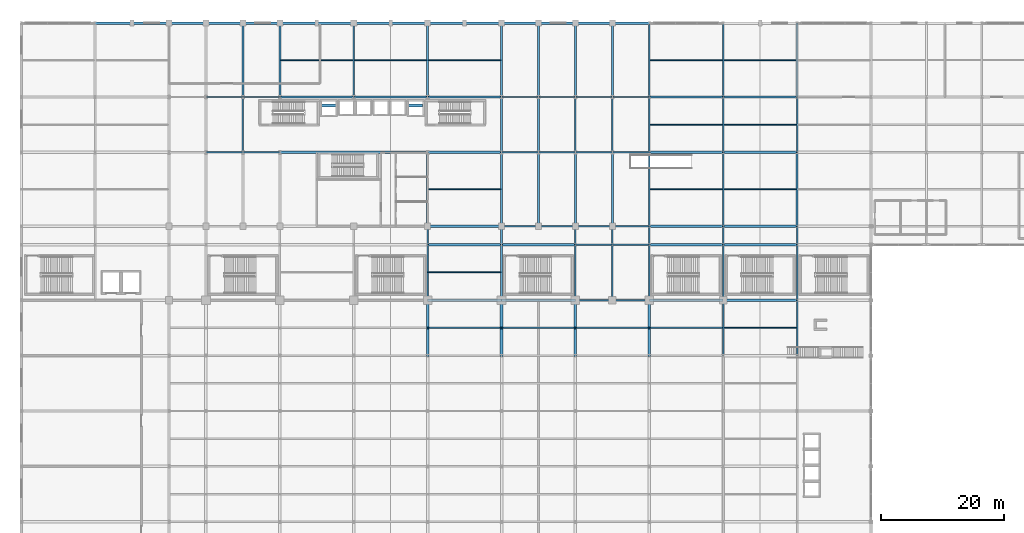
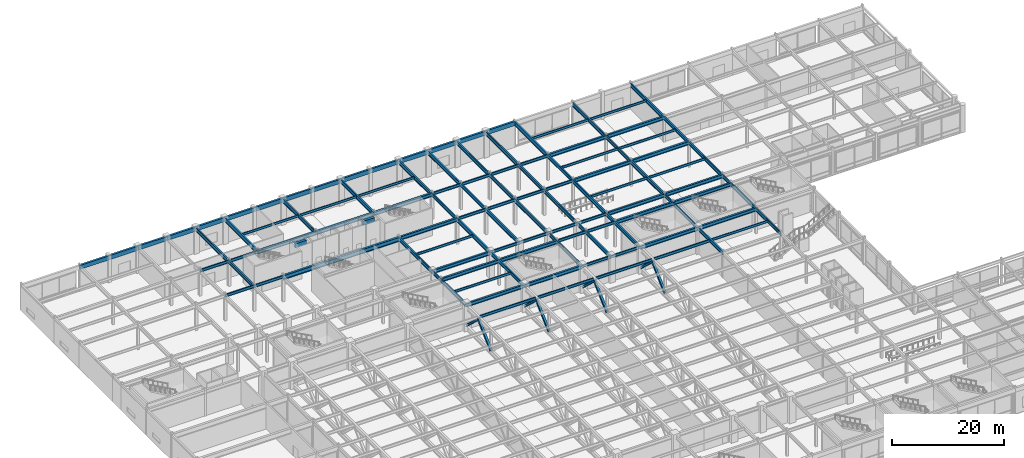
# One storey, part 44 of 108: 112 beams, 8 members.
"""IFC4 building model written with IfcOpenShell, lengths in metres."""

from ifc_helpers import new_model, si_unit, direction, frame, origin, origin_2d, place, context, subcontext, project, spatial, rectangle, i_section, extrude, material, material_profile, profile_set, type_object, element, save


model = new_model("IFC4")

# Units and contexts
model_context = context("Model", 3, precision=1e-05, world=origin(), true_north=direction((0.0, 1.0)))
body_context = subcontext(model_context, "Body", "Model", "MODEL_VIEW")
ifc_project = project(units=[si_unit("LENGTHUNIT", "METRE"), si_unit("AREAUNIT", "SQUARE_METRE"), si_unit("VOLUMEUNIT", "CUBIC_METRE"), si_unit("PLANEANGLEUNIT", "RADIAN"), si_unit("MASSUNIT", "GRAM", prefix="KILO")], contexts=[model_context])

# Site, building, storey
site_placement = place(None, origin())
site = spatial("IfcSite", under=ifc_project, at=site_placement, CompositionType="ELEMENT")
building_placement = place(site_placement, origin())
building = spatial("IfcBuilding", under=site, at=building_placement, Name="Kaldorvane Square Convention Centre", CompositionType="ELEMENT")
storey_placement = place(building_placement, frame((0.0, 0.0, 12.0)))
storey = spatial("IfcBuildingStorey", under=building, at=storey_placement, Name="L02", CompositionType="ELEMENT", Elevation=12.0)

# Beams
ifc_material_1 = material(Name="Steel ASTM A992 Gr. 50", Category="steel")
ifc_material_profile_1 = material_profile(ifc_material_1, i_section(OverallWidth=0.2303009033203125, OverallDepth=0.61749267578125, WebThickness=0.0131072998046875, FlangeThickness=0.0222015380859375, FilletRadius=0.0126953125, at=origin_2d()), Name="W24X94")
ifc_profile_set_1 = profile_set([ifc_material_profile_1], Name="Steel ASTM A992 Gr. 50")
beam_type_1 = type_object("IfcBeamType", Name="BM-GR-W24X94", PredefinedType="BEAM", material=ifc_profile_set_1)
for number, where, z_axis, x_axis, name in (
    (1, (90.0, 72.0, 5.3372039794921875), (1.0, 0.0, 0.0), (0.0, 1.0, 0.0), "Primary Girder (L02)"),
    (2, (96.0, 72.0, 5.3372039794921875), (1.0, 0.0, 0.0), (0.0, 1.0, 0.0), "Primary Girder (L02)"),
    (3, (90.0, 81.0, 5.3372039794921875), (1.0, 0.0, 0.0), (0.0, 1.0, 0.0), "Primary Girder (L02)"),
    (4, (96.0, 81.0, 5.3372039794921875), (1.0, 0.0, 0.0), (0.0, 1.0, 0.0), "Primary Girder (L02)"),
    (5, (78.0, 84.0, 5.3372039794921875), (1.0, 0.0, 0.0), (0.0, 1.0, 0.0), "Primary Girder (L02)"),
    (6, (84.0, 84.0, 5.3372039794921875), (1.0, 0.0, 0.0), (0.0, 1.0, 0.0), "Primary Girder (L02)"),
    (7, (90.0, 84.0, 5.3372039794921875), (1.0, 0.0, 0.0), (0.0, 1.0, 0.0), "Primary Girder (L02)"),
    (8, (96.0, 84.0, 5.3372039794921875), (1.0, 0.0, 0.0), (0.0, 1.0, 0.0), "Primary Girder (L02)"),
    (9, (30.0, 96.0, 5.3372039794921875), (1.0, 0.0, 0.0), (0.0, 1.0, 0.0), "Primary Girder (L02)"),
    (10, (36.0, 96.0, 5.3372039794921875), (1.0, 0.0, 0.0), (0.0, 1.0, 0.0), "Primary Girder (L02)"),
    (11, (78.0, 96.0, 5.3372039794921875), (1.0, 0.0, 0.0), (0.0, 1.0, 0.0), "Primary Girder (L02)"),
    (12, (84.0, 96.0, 5.3372039794921875), (1.0, 0.0, 0.0), (0.0, 1.0, 0.0), "Primary Girder (L02)"),
    (13, (90.0, 96.0, 5.3372039794921875), (1.0, 0.0, 0.0), (0.0, 1.0, 0.0), "Primary Girder (L02)"),
    (14, (96.0, 96.0, 5.3372039794921875), (1.0, 0.0, 0.0), (0.0, 1.0, 0.0), "Primary Girder (L02)"),
    (15, (30.0, 105.0, 5.3372039794921875), (1.0, 0.0, 0.0), (0.0, 1.0, 0.0), "Primary Girder (L02)"),
    (16, (36.0, 105.0, 5.3372039794921875), (1.0, 0.0, 0.0), (0.0, 1.0, 0.0), "Primary Girder (L02)"),
    (17, (78.0, 105.0, 5.3372039794921875), (1.0, 0.0, 0.0), (0.0, 1.0, 0.0), "Primary Girder (L02)"),
    (18, (84.0, 105.0, 5.3372039794921875), (1.0, 0.0, 0.0), (0.0, 1.0, 0.0), "Primary Girder (L02)"),
    (19, (90.0, 105.0, 5.3372039794921875), (1.0, 0.0, 0.0), (0.0, 1.0, 0.0), "Primary Girder (L02)"),
    (20, (96.0, 105.0, 5.3372039794921875), (1.0, 0.0, 0.0), (0.0, 1.0, 0.0), "Primary Girder (L02)"),
):
    element("IfcBeam", number, at=place(storey_placement, frame(where, z_axis=z_axis, x_axis=x_axis)), inside=storey, type_object=beam_type_1, Name=name, PredefinedType="BEAM", context=body_context, shape_type="SweptSolid", body=[
        extrude(i_section(OverallWidth=0.2303009033203125, OverallDepth=0.61749267578125, WebThickness=0.0131072998046875, FlangeThickness=0.0222015380859375, FilletRadius=0.0126953125, at=origin_2d()), origin(), (0.0, 0.0, 1.0), 6.0),
    ])
ifc_material_profile_2 = material_profile(ifc_material_1, i_section(OverallWidth=0.2666015625, OverallDepth=0.762298583984375, WebThickness=0.014404296875, FlangeThickness=0.0216064453125, FilletRadius=0.0164947509765625, at=origin_2d()), Name="W30X116")
ifc_profile_set_2 = profile_set([ifc_material_profile_2], Name="Steel ASTM A992 Gr. 50")
beam_type_2 = type_object("IfcBeamType", Name="BM-GR-W30X116", PredefinedType="BEAM", material=ifc_profile_set_2)
for number, where, z_axis, x_axis, name in (
    (21, (36.0, 96.0, 5.264801025390625), (0.0, 1.0, 0.0), (-1.0, 0.0, 0.0), "Transverse Girder (L02)"),
    (22, (66.0, 72.0, 5.264801025390625), (0.0, 1.0, 0.0), (-1.0, 0.0, 0.0), "Transverse Girder (L02)"),
):
    element("IfcBeam", number, at=place(storey_placement, frame(where, z_axis=z_axis, x_axis=x_axis)), inside=storey, type_object=beam_type_2, Name=name, PredefinedType="BEAM", context=body_context, shape_type="SweptSolid", body=[
        extrude(i_section(OverallWidth=0.2666015625, OverallDepth=0.762298583984375, WebThickness=0.014404296875, FlangeThickness=0.0216064453125, FilletRadius=0.0164947509765625, at=origin_2d()), origin(), (0.0, 0.0, 1.0), 9.0),
    ])
beam_1_placement = place(storey_placement, frame((66.0, 81.0, 5.264801025390625), z_axis=(0.0, 1.0, 0.0), x_axis=(-1.0, 0.0, 0.0)))
element("IfcBeam", 23, at=beam_1_placement, inside=storey, type_object=beam_type_2, Name="Transverse Girder (L02)", PredefinedType="BEAM", context=body_context, shape_type="SweptSolid", body=[
    extrude(i_section(OverallWidth=0.2666015625, OverallDepth=0.762298583984375, WebThickness=0.014404296875, FlangeThickness=0.0216064453125, FilletRadius=0.0164947509765625, at=origin_2d()), origin(), (0.0, 0.0, 1.0), 3.0),
])
beam_2_placement = place(storey_placement, frame((78.0, 72.0, 5.264801025390625), z_axis=(0.0, 1.0, 0.0), x_axis=(-1.0, 0.0, 0.0)))
element("IfcBeam", 24, at=beam_2_placement, inside=storey, type_object=beam_type_2, Name="Transverse Girder (L02)", PredefinedType="BEAM", context=body_context, shape_type="SweptSolid", body=[
    extrude(i_section(OverallWidth=0.2666015625, OverallDepth=0.762298583984375, WebThickness=0.014404296875, FlangeThickness=0.0216064453125, FilletRadius=0.0164947509765625, at=origin_2d()), origin(), (0.0, 0.0, 1.0), 9.0),
])
beam_3_placement = place(storey_placement, frame((78.0, 81.0, 5.264801025390625), z_axis=(0.0, 1.0, 0.0), x_axis=(-1.0, 0.0, 0.0)))
element("IfcBeam", 25, at=beam_3_placement, inside=storey, type_object=beam_type_2, Name="Transverse Girder (L02)", PredefinedType="BEAM", context=body_context, shape_type="SweptSolid", body=[
    extrude(i_section(OverallWidth=0.2666015625, OverallDepth=0.762298583984375, WebThickness=0.014404296875, FlangeThickness=0.0216064453125, FilletRadius=0.0164947509765625, at=origin_2d()), origin(), (0.0, 0.0, 1.0), 3.0),
])
for number, where, z_axis, x_axis, name in (
    (26, (78.0, 96.0, 5.264801025390625), (0.0, 1.0, 0.0), (-1.0, 0.0, 0.0), "Transverse Girder (L02)"),
    (27, (84.0, 96.0, 5.264801025390625), (0.0, 1.0, 0.0), (-1.0, 0.0, 0.0), "Transverse Girder (L02)"),
    (28, (90.0, 72.0, 5.264801025390625), (0.0, 1.0, 0.0), (-1.0, 0.0, 0.0), "Transverse Girder (L02)"),
):
    element("IfcBeam", number, at=place(storey_placement, frame(where, z_axis=z_axis, x_axis=x_axis)), inside=storey, type_object=beam_type_2, Name=name, PredefinedType="BEAM", context=body_context, shape_type="SweptSolid", body=[
        extrude(i_section(OverallWidth=0.2666015625, OverallDepth=0.762298583984375, WebThickness=0.014404296875, FlangeThickness=0.0216064453125, FilletRadius=0.0164947509765625, at=origin_2d()), origin(), (0.0, 0.0, 1.0), 9.0),
    ])
beam_4_placement = place(storey_placement, frame((90.0, 81.0, 5.264801025390625), z_axis=(0.0, 1.0, 0.0), x_axis=(-1.0, 0.0, 0.0)))
element("IfcBeam", 29, at=beam_4_placement, inside=storey, type_object=beam_type_2, Name="Transverse Girder (L02)", PredefinedType="BEAM", context=body_context, shape_type="SweptSolid", body=[
    extrude(i_section(OverallWidth=0.2666015625, OverallDepth=0.762298583984375, WebThickness=0.014404296875, FlangeThickness=0.0216064453125, FilletRadius=0.0164947509765625, at=origin_2d()), origin(), (0.0, 0.0, 1.0), 3.0),
])
for number, where, z_axis, x_axis, name in (
    (30, (90.0, 96.0, 5.264801025390625), (0.0, 1.0, 0.0), (-1.0, 0.0, 0.0), "Transverse Girder (L02)"),
    (31, (96.0, 72.0, 5.264801025390625), (0.0, 1.0, 0.0), (-1.0, 0.0, 0.0), "Transverse Girder (L02)"),
):
    element("IfcBeam", number, at=place(storey_placement, frame(where, z_axis=z_axis, x_axis=x_axis)), inside=storey, type_object=beam_type_2, Name=name, PredefinedType="BEAM", context=body_context, shape_type="SweptSolid", body=[
        extrude(i_section(OverallWidth=0.2666015625, OverallDepth=0.762298583984375, WebThickness=0.014404296875, FlangeThickness=0.0216064453125, FilletRadius=0.0164947509765625, at=origin_2d()), origin(), (0.0, 0.0, 1.0), 9.0),
    ])
beam_5_placement = place(storey_placement, frame((96.0, 81.0, 5.264801025390625), z_axis=(0.0, 1.0, 0.0), x_axis=(-1.0, 0.0, 0.0)))
element("IfcBeam", 32, at=beam_5_placement, inside=storey, type_object=beam_type_2, Name="Transverse Girder (L02)", PredefinedType="BEAM", context=body_context, shape_type="SweptSolid", body=[
    extrude(i_section(OverallWidth=0.2666015625, OverallDepth=0.762298583984375, WebThickness=0.014404296875, FlangeThickness=0.0216064453125, FilletRadius=0.0164947509765625, at=origin_2d()), origin(), (0.0, 0.0, 1.0), 3.0),
])
for number, where, z_axis, x_axis, name in (
    (33, (96.0, 96.0, 5.264801025390625), (0.0, 1.0, 0.0), (-1.0, 0.0, 0.0), "Transverse Girder (L02)"),
    (34, (102.0, 72.0, 5.264801025390625), (0.0, 1.0, 0.0), (-1.0, 0.0, 0.0), "Transverse Girder (L02)"),
):
    element("IfcBeam", number, at=place(storey_placement, frame(where, z_axis=z_axis, x_axis=x_axis)), inside=storey, type_object=beam_type_2, Name=name, PredefinedType="BEAM", context=body_context, shape_type="SweptSolid", body=[
        extrude(i_section(OverallWidth=0.2666015625, OverallDepth=0.762298583984375, WebThickness=0.014404296875, FlangeThickness=0.0216064453125, FilletRadius=0.0164947509765625, at=origin_2d()), origin(), (0.0, 0.0, 1.0), 9.0),
    ])
beam_6_placement = place(storey_placement, frame((102.0, 81.0, 5.264801025390625), z_axis=(0.0, 1.0, 0.0), x_axis=(-1.0, 0.0, 0.0)))
element("IfcBeam", 35, at=beam_6_placement, inside=storey, type_object=beam_type_2, Name="Transverse Girder (L02)", PredefinedType="BEAM", context=body_context, shape_type="SweptSolid", body=[
    extrude(i_section(OverallWidth=0.2666015625, OverallDepth=0.762298583984375, WebThickness=0.014404296875, FlangeThickness=0.0216064453125, FilletRadius=0.0164947509765625, at=origin_2d()), origin(), (0.0, 0.0, 1.0), 3.0),
])
for number, where, z_axis, x_axis, name in (
    (36, (102.0, 96.0, 5.264801025390625), (0.0, 1.0, 0.0), (-1.0, 0.0, 0.0), "Transverse Girder (L02)"),
    (37, (114.0, 63.0, 5.264801025390625), (0.0, 1.0, 0.0), (-1.0, 0.0, 0.0), "Transverse Girder (L02)"),
    (38, (114.0, 72.0, 5.264801025390625), (0.0, 1.0, 0.0), (-1.0, 0.0, 0.0), "Transverse Girder (L02)"),
):
    element("IfcBeam", number, at=place(storey_placement, frame(where, z_axis=z_axis, x_axis=x_axis)), inside=storey, type_object=beam_type_2, Name=name, PredefinedType="BEAM", context=body_context, shape_type="SweptSolid", body=[
        extrude(i_section(OverallWidth=0.2666015625, OverallDepth=0.762298583984375, WebThickness=0.014404296875, FlangeThickness=0.0216064453125, FilletRadius=0.0164947509765625, at=origin_2d()), origin(), (0.0, 0.0, 1.0), 9.0),
    ])
beam_7_placement = place(storey_placement, frame((114.0, 81.0, 5.264801025390625), z_axis=(0.0, 1.0, 0.0), x_axis=(-1.0, 0.0, 0.0)))
element("IfcBeam", 39, at=beam_7_placement, inside=storey, type_object=beam_type_2, Name="Transverse Girder (L02)", PredefinedType="BEAM", context=body_context, shape_type="SweptSolid", body=[
    extrude(i_section(OverallWidth=0.2666015625, OverallDepth=0.762298583984375, WebThickness=0.014404296875, FlangeThickness=0.0216064453125, FilletRadius=0.0164947509765625, at=origin_2d()), origin(), (0.0, 0.0, 1.0), 3.0),
])
for number, where, z_axis, x_axis, name in (
    (40, (114.0, 96.0, 5.264801025390625), (0.0, 1.0, 0.0), (-1.0, 0.0, 0.0), "Transverse Girder (L02)"),
    (41, (126.0, 63.0, 5.264801025390625), (0.0, 1.0, 0.0), (-1.0, 0.0, 0.0), "Transverse Girder (L02)"),
    (42, (126.0, 72.0, 5.264801025390625), (0.0, 1.0, 0.0), (-1.0, 0.0, 0.0), "Transverse Girder (L02)"),
):
    element("IfcBeam", number, at=place(storey_placement, frame(where, z_axis=z_axis, x_axis=x_axis)), inside=storey, type_object=beam_type_2, Name=name, PredefinedType="BEAM", context=body_context, shape_type="SweptSolid", body=[
        extrude(i_section(OverallWidth=0.2666015625, OverallDepth=0.762298583984375, WebThickness=0.014404296875, FlangeThickness=0.0216064453125, FilletRadius=0.0164947509765625, at=origin_2d()), origin(), (0.0, 0.0, 1.0), 9.0),
    ])
beam_8_placement = place(storey_placement, frame((126.0, 81.0, 5.264801025390625), z_axis=(0.0, 1.0, 0.0), x_axis=(-1.0, 0.0, 0.0)))
element("IfcBeam", 43, at=beam_8_placement, inside=storey, type_object=beam_type_2, Name="Transverse Girder (L02)", PredefinedType="BEAM", context=body_context, shape_type="SweptSolid", body=[
    extrude(i_section(OverallWidth=0.2666015625, OverallDepth=0.762298583984375, WebThickness=0.014404296875, FlangeThickness=0.0216064453125, FilletRadius=0.0164947509765625, at=origin_2d()), origin(), (0.0, 0.0, 1.0), 3.0),
])
beam_9_placement = place(storey_placement, frame((126.0, 96.0, 5.264801025390625), z_axis=(0.0, 1.0, 0.0), x_axis=(-1.0, 0.0, 0.0)))
element("IfcBeam", 44, at=beam_9_placement, inside=storey, type_object=beam_type_2, Name="Transverse Girder (L02)", PredefinedType="BEAM", context=body_context, shape_type="SweptSolid", body=[
    extrude(i_section(OverallWidth=0.2666015625, OverallDepth=0.762298583984375, WebThickness=0.014404296875, FlangeThickness=0.0216064453125, FilletRadius=0.0164947509765625, at=origin_2d()), origin(), (0.0, 0.0, 1.0), 9.0),
])
ifc_material_profile_3 = material_profile(ifc_material_1, i_section(OverallWidth=0.380706787109375, OverallDepth=0.773193359375, WebThickness=0.0166015625, FlangeThickness=0.027099609375, FilletRadius=0.0164947509765625, at=origin_2d()), Name="W30X173")
ifc_profile_set_3 = profile_set([ifc_material_profile_3], Name="Steel ASTM A992 Gr. 50")
beam_type_3 = type_object("IfcBeamType", Name="BM-GR-W30X173", PredefinedType="BEAM", material=ifc_profile_set_3)
for number, where, z_axis, x_axis, name in (
    (45, (66.0, 72.0, 5.2593994140625), (1.0, 0.0, 0.0), (0.0, 1.0, 0.0), "Primary Girder (L02)"),
    (46, (78.0, 72.0, 5.2593994140625), (1.0, 0.0, 0.0), (0.0, 1.0, 0.0), "Primary Girder (L02)"),
    (47, (102.0, 72.0, 5.2593994140625), (1.0, 0.0, 0.0), (0.0, 1.0, 0.0), "Primary Girder (L02)"),
    (48, (114.0, 72.0, 5.2593994140625), (1.0, 0.0, 0.0), (0.0, 1.0, 0.0), "Primary Girder (L02)"),
    (49, (66.0, 81.0, 5.2593994140625), (1.0, 0.0, 0.0), (0.0, 1.0, 0.0), "Primary Girder (L02)"),
    (50, (78.0, 81.0, 5.2593994140625), (1.0, 0.0, 0.0), (0.0, 1.0, 0.0), "Primary Girder (L02)"),
    (51, (102.0, 81.0, 5.2593994140625), (1.0, 0.0, 0.0), (0.0, 1.0, 0.0), "Primary Girder (L02)"),
    (52, (114.0, 81.0, 5.2593994140625), (1.0, 0.0, 0.0), (0.0, 1.0, 0.0), "Primary Girder (L02)"),
    (53, (66.0, 84.0, 5.2593994140625), (1.0, 0.0, 0.0), (0.0, 1.0, 0.0), "Primary Girder (L02)"),
    (54, (102.0, 84.0, 5.2593994140625), (1.0, 0.0, 0.0), (0.0, 1.0, 0.0), "Primary Girder (L02)"),
    (55, (114.0, 84.0, 5.2593994140625), (1.0, 0.0, 0.0), (0.0, 1.0, 0.0), "Primary Girder (L02)"),
    (56, (66.0, 96.0, 5.2593994140625), (1.0, 0.0, 0.0), (0.0, 1.0, 0.0), "Primary Girder (L02)"),
    (57, (102.0, 96.0, 5.2593994140625), (1.0, 0.0, 0.0), (0.0, 1.0, 0.0), "Primary Girder (L02)"),
    (58, (114.0, 96.0, 5.2593994140625), (1.0, 0.0, 0.0), (0.0, 1.0, 0.0), "Primary Girder (L02)"),
    (59, (42.0, 105.0, 5.2593994140625), (1.0, 0.0, 0.0), (0.0, 1.0, 0.0), "Primary Girder (L02)"),
    (60, (54.0, 105.0, 5.2593994140625), (1.0, 0.0, 0.0), (0.0, 1.0, 0.0), "Primary Girder (L02)"),
    (61, (66.0, 105.0, 5.2593994140625), (1.0, 0.0, 0.0), (0.0, 1.0, 0.0), "Primary Girder (L02)"),
    (62, (102.0, 105.0, 5.2593994140625), (1.0, 0.0, 0.0), (0.0, 1.0, 0.0), "Primary Girder (L02)"),
    (63, (114.0, 105.0, 5.2593994140625), (1.0, 0.0, 0.0), (0.0, 1.0, 0.0), "Primary Girder (L02)"),
):
    element("IfcBeam", number, at=place(storey_placement, frame(where, z_axis=z_axis, x_axis=x_axis)), inside=storey, type_object=beam_type_3, Name=name, PredefinedType="BEAM", context=body_context, shape_type="SweptSolid", body=[
        extrude(i_section(OverallWidth=0.380706787109375, OverallDepth=0.773193359375, WebThickness=0.0166015625, FlangeThickness=0.027099609375, FilletRadius=0.0164947509765625, at=origin_2d()), origin(), (0.0, 0.0, 1.0), 12.0),
    ])
ifc_material_profile_4 = material_profile(ifc_material_1, i_section(OverallWidth=0.292999267578125, OverallDepth=0.845794677734375, WebThickness=0.0153961181640625, FlangeThickness=0.0243988037109375, FilletRadius=0.0178070068359375, at=origin_2d()), Name="W33X141")
ifc_profile_set_4 = profile_set([ifc_material_profile_4], Name="Steel ASTM A992 Gr. 50")
beam_type_4 = type_object("IfcBeamType", Name="BM-GR-W33X141", PredefinedType="BEAM", material=ifc_profile_set_4)
for number, where, z_axis, x_axis, name in (
    (64, (36.0, 105.0, 5.2230987548828125), (0.0, 1.0, 0.0), (-1.0, 0.0, 0.0), "Transverse Girder (L02)"),
    (65, (42.0, 105.0, 5.2230987548828125), (0.0, 1.0, 0.0), (-1.0, 0.0, 0.0), "Transverse Girder (L02)"),
    (66, (54.0, 105.0, 5.2230987548828125), (0.0, 1.0, 0.0), (-1.0, 0.0, 0.0), "Transverse Girder (L02)"),
    (67, (66.0, 84.0, 5.2230987548828125), (0.0, 1.0, 0.0), (-1.0, 0.0, 0.0), "Transverse Girder (L02)"),
    (68, (66.0, 105.0, 5.2230987548828125), (0.0, 1.0, 0.0), (-1.0, 0.0, 0.0), "Transverse Girder (L02)"),
    (69, (78.0, 84.0, 5.2230987548828125), (0.0, 1.0, 0.0), (-1.0, 0.0, 0.0), "Transverse Girder (L02)"),
    (70, (78.0, 105.0, 5.2230987548828125), (0.0, 1.0, 0.0), (-1.0, 0.0, 0.0), "Transverse Girder (L02)"),
    (71, (84.0, 84.0, 5.2230987548828125), (0.0, 1.0, 0.0), (-1.0, 0.0, 0.0), "Transverse Girder (L02)"),
    (72, (84.0, 105.0, 5.2230987548828125), (0.0, 1.0, 0.0), (-1.0, 0.0, 0.0), "Transverse Girder (L02)"),
    (73, (90.0, 84.0, 5.2230987548828125), (0.0, 1.0, 0.0), (-1.0, 0.0, 0.0), "Transverse Girder (L02)"),
    (74, (90.0, 105.0, 5.2230987548828125), (0.0, 1.0, 0.0), (-1.0, 0.0, 0.0), "Transverse Girder (L02)"),
    (75, (96.0, 84.0, 5.2230987548828125), (0.0, 1.0, 0.0), (-1.0, 0.0, 0.0), "Transverse Girder (L02)"),
    (76, (96.0, 105.0, 5.2230987548828125), (0.0, 1.0, 0.0), (-1.0, 0.0, 0.0), "Transverse Girder (L02)"),
    (77, (102.0, 84.0, 5.2230987548828125), (0.0, 1.0, 0.0), (-1.0, 0.0, 0.0), "Transverse Girder (L02)"),
    (78, (102.0, 105.0, 5.2230987548828125), (0.0, 1.0, 0.0), (-1.0, 0.0, 0.0), "Transverse Girder (L02)"),
    (79, (114.0, 84.0, 5.2230987548828125), (0.0, 1.0, 0.0), (-1.0, 0.0, 0.0), "Transverse Girder (L02)"),
    (80, (114.0, 105.0, 5.2230987548828125), (0.0, 1.0, 0.0), (-1.0, 0.0, 0.0), "Transverse Girder (L02)"),
    (81, (126.0, 84.0, 5.2230987548828125), (0.0, 1.0, 0.0), (-1.0, 0.0, 0.0), "Transverse Girder (L02)"),
    (82, (126.0, 105.0, 5.2230987548828125), (0.0, 1.0, 0.0), (-1.0, 0.0, 0.0), "Transverse Girder (L02)"),
):
    element("IfcBeam", number, at=place(storey_placement, frame(where, z_axis=z_axis, x_axis=x_axis)), inside=storey, type_object=beam_type_4, Name=name, PredefinedType="BEAM", context=body_context, shape_type="SweptSolid", body=[
        extrude(i_section(OverallWidth=0.292999267578125, OverallDepth=0.845794677734375, WebThickness=0.0153961181640625, FlangeThickness=0.0243988037109375, FilletRadius=0.0178070068359375, at=origin_2d()), origin(), (0.0, 0.0, 1.0), 12.0),
    ])
ifc_material_profile_5 = material_profile(ifc_material_1, i_section(OverallWidth=0.418304443359375, OverallDepth=0.926605224609375, WebThickness=0.0193023681640625, FlangeThickness=0.0319976806640625, FilletRadius=0.0240936279296875, at=origin_2d()), Name="W36X231")
ifc_profile_set_5 = profile_set([ifc_material_profile_5], Name="Steel ASTM A992 Gr. 50")
beam_type_5 = type_object("IfcBeamType", Name="BM-GR-W36X231", PredefinedType="BEAM", material=ifc_profile_set_5)
beam_10_placement = place(storey_placement, frame((42.0, 96.0, 5.1826934814453125), z_axis=(1.0, 0.0, 0.0), x_axis=(0.0, 1.0, 0.0)))
element("IfcBeam", 83, at=beam_10_placement, inside=storey, type_object=beam_type_5, Name="Primary Girder (L02)", PredefinedType="BEAM", context=body_context, shape_type="SweptSolid", body=[
    extrude(i_section(OverallWidth=0.418304443359375, OverallDepth=0.926605224609375, WebThickness=0.0193023681640625, FlangeThickness=0.0319976806640625, FilletRadius=0.0240936279296875, at=origin_2d()), origin(), (0.0, 0.0, 1.0), 24.0),
])
ifc_material_profile_6 = material_profile(ifc_material_1, i_section(OverallWidth=0.1658935546875, OverallDepth=0.5290985107421875, WebThickness=0.00970458984375, FlangeThickness=0.0135955810546875, FilletRadius=0.0126953125, at=origin_2d()), Name="W21X50")
ifc_profile_set_6 = profile_set([ifc_material_profile_6], Name="Steel ASTM A992 Gr. 50")
beam_type_6 = type_object("IfcBeamType", Name="BM-JS-W21X50", PredefinedType="JOIST", material=ifc_profile_set_6)
for number, where, z_axis, x_axis, name in (
    (84, (114.13330078125, 67.5, 5.3813934326171875), (1.0, 0.0, 0.0), (0.0, 1.0, 0.0), "Secondary Floor Joist (L02)"),
    (85, (66.13330078125, 76.5, 5.3813934326171875), (1.0, 0.0, 0.0), (0.0, 1.0, 0.0), "Secondary Floor Joist (L02)"),
):
    element("IfcBeam", number, at=place(storey_placement, frame(where, z_axis=z_axis, x_axis=x_axis)), inside=storey, type_object=beam_type_6, Name=name, PredefinedType="JOIST", context=body_context, shape_type="SweptSolid", body=[
        extrude(i_section(OverallWidth=0.1658935546875, OverallDepth=0.5290985107421875, WebThickness=0.00970458984375, FlangeThickness=0.0135955810546875, FilletRadius=0.0126953125, at=origin_2d()), origin(), (0.0, 0.0, 1.0), 11.7333984375),
    ])
for number, where, z_axis, x_axis, name in (
    (86, (66.14649963378906, 90.0, 5.3813934326171875), (1.0, 0.0, 0.0), (0.0, 1.0, 0.0), "Secondary Floor Joist (L02)"),
    (87, (102.14649963378906, 90.0, 5.3813934326171875), (1.0, 0.0, 0.0), (0.0, 1.0, 0.0), "Secondary Floor Joist (L02)"),
    (88, (114.14649963378906, 90.0, 5.3813934326171875), (1.0, 0.0, 0.0), (0.0, 1.0, 0.0), "Secondary Floor Joist (L02)"),
):
    element("IfcBeam", number, at=place(storey_placement, frame(where, z_axis=z_axis, x_axis=x_axis)), inside=storey, type_object=beam_type_6, Name=name, PredefinedType="JOIST", context=body_context, shape_type="SweptSolid", body=[
        extrude(i_section(OverallWidth=0.1658935546875, OverallDepth=0.5290985107421875, WebThickness=0.00970458984375, FlangeThickness=0.0135955810546875, FilletRadius=0.0126953125, at=origin_2d()), origin(), (0.0, 0.0, 1.0), 11.707000732421875),
    ])
for number, where, z_axis, x_axis, name in (
    (89, (102.13330078125, 100.5, 5.3813934326171875), (1.0, 0.0, 0.0), (0.0, 1.0, 0.0), "Secondary Floor Joist (L02)"),
    (90, (114.13330078125, 100.5, 5.3813934326171875), (1.0, 0.0, 0.0), (0.0, 1.0, 0.0), "Secondary Floor Joist (L02)"),
):
    element("IfcBeam", number, at=place(storey_placement, frame(where, z_axis=z_axis, x_axis=x_axis)), inside=storey, type_object=beam_type_6, Name=name, PredefinedType="JOIST", context=body_context, shape_type="SweptSolid", body=[
        extrude(i_section(OverallWidth=0.1658935546875, OverallDepth=0.5290985107421875, WebThickness=0.00970458984375, FlangeThickness=0.0135955810546875, FilletRadius=0.0126953125, at=origin_2d()), origin(), (0.0, 0.0, 1.0), 11.7333984375),
    ])
for number, where, z_axis, x_axis, name in (
    (91, (42.14649963378906, 111.0, 5.3813934326171875), (1.0, 0.0, 0.0), (0.0, 1.0, 0.0), "Secondary Floor Joist (L02)"),
    (92, (54.14649963378906, 111.0, 5.3813934326171875), (1.0, 0.0, 0.0), (0.0, 1.0, 0.0), "Secondary Floor Joist (L02)"),
    (93, (66.14649963378906, 111.0, 5.3813934326171875), (1.0, 0.0, 0.0), (0.0, 1.0, 0.0), "Secondary Floor Joist (L02)"),
    (94, (102.14649963378906, 111.0, 5.3813934326171875), (1.0, 0.0, 0.0), (0.0, 1.0, 0.0), "Secondary Floor Joist (L02)"),
    (95, (114.14649963378906, 111.0, 5.3813934326171875), (1.0, 0.0, 0.0), (0.0, 1.0, 0.0), "Secondary Floor Joist (L02)"),
):
    element("IfcBeam", number, at=place(storey_placement, frame(where, z_axis=z_axis, x_axis=x_axis)), inside=storey, type_object=beam_type_6, Name=name, PredefinedType="JOIST", context=body_context, shape_type="SweptSolid", body=[
        extrude(i_section(OverallWidth=0.1658935546875, OverallDepth=0.5290985107421875, WebThickness=0.00970458984375, FlangeThickness=0.0135955810546875, FilletRadius=0.0126953125, at=origin_2d()), origin(), (0.0, 0.0, 1.0), 11.707000732421875),
    ])
ifc_material_profile_7 = material_profile(ifc_material_1, i_section(OverallWidth=0.2277069091796875, OverallDepth=0.6027069091796875, WebThickness=0.010498046875, FlangeThickness=0.014892578125, FilletRadius=0.0126953125, at=origin_2d()), Name="W24X68")
ifc_profile_set_7 = profile_set([ifc_material_profile_7], Name="Steel ASTM A992 Gr. 50")
beam_type_7 = type_object("IfcBeamType", Name="BM-JS-W24X68", PredefinedType="JOIST", material=ifc_profile_set_7)
beam_11_placement = place(storey_placement, frame((66.20249938964844, 67.5, 5.3446044921875), z_axis=(1.0, 0.0, 0.0), x_axis=(0.0, 1.0, 0.0)))
element("IfcBeam", 96, at=beam_11_placement, inside=storey, type_object=beam_type_7, Name="Hall Composite Floor Joist (L02)", PredefinedType="JOIST", context=body_context, shape_type="SweptSolid", body=[
    extrude(i_section(OverallWidth=0.2277069091796875, OverallDepth=0.6027069091796875, WebThickness=0.010498046875, FlangeThickness=0.014892578125, FilletRadius=0.0126953125, at=origin_2d()), origin(), (0.0, 0.0, 1.0), 11.595001220703125),
])
beam_12_placement = place(storey_placement, frame((78.20249938964844, 67.5, 5.3446044921875), z_axis=(1.0, 0.0, 0.0), x_axis=(0.0, 1.0, 0.0)))
element("IfcBeam", 97, at=beam_12_placement, inside=storey, type_object=beam_type_7, Name="Hall Composite Floor Joist (L02)", PredefinedType="JOIST", context=body_context, shape_type="SweptSolid", body=[
    extrude(i_section(OverallWidth=0.2277069091796875, OverallDepth=0.6027069091796875, WebThickness=0.010498046875, FlangeThickness=0.014892578125, FilletRadius=0.0126953125, at=origin_2d()), origin(), (0.0, 0.0, 1.0), 11.592697143554688),
])
beam_13_placement = place(storey_placement, frame((90.20480346679688, 67.5, 5.3446044921875), z_axis=(1.0, 0.0, 0.0), x_axis=(0.0, 1.0, 0.0)))
element("IfcBeam", 98, at=beam_13_placement, inside=storey, type_object=beam_type_7, Name="Hall Composite Floor Joist (L02)", PredefinedType="JOIST", context=body_context, shape_type="SweptSolid", body=[
    extrude(i_section(OverallWidth=0.2277069091796875, OverallDepth=0.6027069091796875, WebThickness=0.010498046875, FlangeThickness=0.014892578125, FilletRadius=0.0126953125, at=origin_2d()), origin(), (0.0, 0.0, 1.0), 11.59039306640625),
])
beam_14_placement = place(storey_placement, frame((102.20480346679688, 67.5, 5.3446044921875), z_axis=(1.0, 0.0, 0.0), x_axis=(0.0, 1.0, 0.0)))
element("IfcBeam", 99, at=beam_14_placement, inside=storey, type_object=beam_type_7, Name="Hall Composite Floor Joist (L02)", PredefinedType="JOIST", context=body_context, shape_type="SweptSolid", body=[
    extrude(i_section(OverallWidth=0.2277069091796875, OverallDepth=0.6027069091796875, WebThickness=0.010498046875, FlangeThickness=0.014892578125, FilletRadius=0.0126953125, at=origin_2d()), origin(), (0.0, 0.0, 1.0), 11.661895751953125),
])
ifc_material_2 = material(Name="Concrete f'c = 42 MPa (Normalweight)", Category="concrete")
ifc_material_profile_8 = material_profile(ifc_material_2, rectangle(XDim=0.5, YDim=0.899993896484375, at=origin_2d()), Name="RCLN900X500")
ifc_profile_set_8 = profile_set([ifc_material_profile_8], Name="Concrete f'c = 42 MPa (Normalweight)")
beam_type_8 = type_object("IfcBeamType", Name="BM-LN-RC900", PredefinedType="LINTEL", material=ifc_profile_set_8)
for number, where, z_axis, x_axis, name in (
    (100, (48.80000305175781, 103.60000610351562, 5.197998046875), (1.0, 0.0, 0.0), (0.0, 1.0, 0.0), "Core Coupling Lintel W (L02)"),
    (101, (62.80000305175781, 103.60000610351562, 5.197998046875), (1.0, 0.0, 0.0), (0.0, 1.0, 0.0), "Core Coupling Lintel E (L02)"),
):
    element("IfcBeam", number, at=place(storey_placement, frame(where, z_axis=z_axis, x_axis=x_axis)), inside=storey, type_object=beam_type_8, Name=name, PredefinedType="LINTEL", context=body_context, shape_type="SweptSolid", body=[
        extrude(rectangle(XDim=0.5, YDim=0.899993896484375, at=origin_2d()), origin(), (0.0, 0.0, 1.0), 2.399993896484375),
    ])
ifc_material_profile_9 = material_profile(ifc_material_2, rectangle(XDim=0.399993896484375, YDim=0.899993896484375, at=origin_2d()), Name="RCSP900X400")
ifc_profile_set_9 = profile_set([ifc_material_profile_9], Name="Concrete f'c = 42 MPa (Normalweight)")
beam_type_9 = type_object("IfcBeamType", Name="BM-SP-RC900", PredefinedType="SPANDREL", material=ifc_profile_set_9)
beam_15_placement = place(storey_placement, frame((12.0, 117.0, 5.1959991455078125), z_axis=(1.0, 0.0, 0.0), x_axis=(0.0, 1.0, 0.0)))
element("IfcBeam", 102, at=beam_15_placement, inside=storey, type_object=beam_type_9, Name="Perimeter Spandrel (L02)", PredefinedType="SPANDREL", context=body_context, shape_type="SweptSolid", body=[
    extrude(rectangle(XDim=0.399993896484375, YDim=0.899993896484375, at=origin_2d()), origin(), (0.0, 0.0, 1.0), 12.0),
])
for number, where, z_axis, x_axis, name in (
    (103, (24.0, 117.0, 5.1959991455078125), (1.0, 0.0, 0.0), (0.0, 1.0, 0.0), "Perimeter Spandrel (L02)"),
    (104, (30.0, 117.0, 5.1959991455078125), (1.0, 0.0, 0.0), (0.0, 1.0, 0.0), "Perimeter Spandrel (L02)"),
    (105, (36.0, 117.0, 5.1959991455078125), (1.0, 0.0, 0.0), (0.0, 1.0, 0.0), "Perimeter Spandrel (L02)"),
):
    element("IfcBeam", number, at=place(storey_placement, frame(where, z_axis=z_axis, x_axis=x_axis)), inside=storey, type_object=beam_type_9, Name=name, PredefinedType="SPANDREL", context=body_context, shape_type="SweptSolid", body=[
        extrude(rectangle(XDim=0.399993896484375, YDim=0.899993896484375, at=origin_2d()), origin(), (0.0, 0.0, 1.0), 6.0),
    ])
for number, where, z_axis, x_axis, name in (
    (106, (42.0, 117.0, 5.1959991455078125), (1.0, 0.0, 0.0), (0.0, 1.0, 0.0), "Perimeter Spandrel (L02)"),
    (107, (54.0, 117.0, 5.1959991455078125), (1.0, 0.0, 0.0), (0.0, 1.0, 0.0), "Perimeter Spandrel (L02)"),
    (108, (66.0, 117.0, 5.1959991455078125), (1.0, 0.0, 0.0), (0.0, 1.0, 0.0), "Perimeter Spandrel (L02)"),
):
    element("IfcBeam", number, at=place(storey_placement, frame(where, z_axis=z_axis, x_axis=x_axis)), inside=storey, type_object=beam_type_9, Name=name, PredefinedType="SPANDREL", context=body_context, shape_type="SweptSolid", body=[
        extrude(rectangle(XDim=0.399993896484375, YDim=0.899993896484375, at=origin_2d()), origin(), (0.0, 0.0, 1.0), 12.0),
    ])
for number, where, z_axis, x_axis, name in (
    (109, (78.0, 117.0, 5.1959991455078125), (1.0, 0.0, 0.0), (0.0, 1.0, 0.0), "Perimeter Spandrel (L02)"),
    (110, (84.0, 117.0, 5.1959991455078125), (1.0, 0.0, 0.0), (0.0, 1.0, 0.0), "Perimeter Spandrel (L02)"),
    (111, (90.0, 117.0, 5.1959991455078125), (1.0, 0.0, 0.0), (0.0, 1.0, 0.0), "Perimeter Spandrel (L02)"),
    (112, (96.0, 117.0, 5.1959991455078125), (1.0, 0.0, 0.0), (0.0, 1.0, 0.0), "Perimeter Spandrel (L02)"),
):
    element("IfcBeam", number, at=place(storey_placement, frame(where, z_axis=z_axis, x_axis=x_axis)), inside=storey, type_object=beam_type_9, Name=name, PredefinedType="SPANDREL", context=body_context, shape_type="SweptSolid", body=[
        extrude(rectangle(XDim=0.399993896484375, YDim=0.899993896484375, at=origin_2d()), origin(), (0.0, 0.0, 1.0), 6.0),
    ])

# Members
ifc_material_profile_10 = material_profile(ifc_material_1, i_section(OverallWidth=0.4214019775390625, OverallDepth=0.4647979736328125, WebThickness=0.0449981689453125, FlangeThickness=0.072296142578125, FilletRadius=0.0305023193359375, at=origin_2d()), Name="W14X398")
ifc_profile_set_10 = profile_set([ifc_material_profile_10], Name="Steel ASTM A992 Gr. 50")
member_type = type_object("IfcMemberType", Name="MB-BR-W14X398", PredefinedType="BRACE", material=ifc_profile_set_10)
for number, where, z_axis, x_axis, name in (
    (113, (66.0, 63.0, 0.7299957275390625), (0.0, 0.731436442842, 0.681909620172), (-1.0, 0.0, 0.0), "Transfer Truss TT-04 Web Diagonal 6A"),
    (114, (66.0, 67.5, 4.92529296875), (0.0, 0.731436442842, -0.681909620172), (-1.0, 0.0, 0.0), "Transfer Truss TT-04 Web Diagonal 6B"),
    (115, (78.0, 63.0, 0.7299957275390625), (0.0, 0.731436442842, 0.681909620172), (-1.0, 0.0, 0.0), "Transfer Truss TT-05 Web Diagonal 6A"),
    (116, (78.0, 67.5, 4.92529296875), (0.0, 0.731436442842, -0.681909620172), (-1.0, 0.0, 0.0), "Transfer Truss TT-05 Web Diagonal 6B"),
    (117, (90.0, 63.0, 0.7299957275390625), (0.0, 0.731436442842, 0.681909620172), (-1.0, 0.0, 0.0), "Transfer Truss TT-06 Web Diagonal 6A"),
    (118, (90.0, 67.5, 4.92529296875), (0.0, 0.731436442842, -0.681909620172), (-1.0, 0.0, 0.0), "Transfer Truss TT-06 Web Diagonal 6B"),
    (119, (102.0, 63.0, 0.7299957275390625), (0.0, 0.731436442842, 0.681909620172), (-1.0, 0.0, 0.0), "Transfer Truss TT-07 Web Diagonal 6A"),
    (120, (102.0, 67.5, 4.92529296875), (0.0, 0.731436442842, -0.681909620172), (-1.0, 0.0, 0.0), "Transfer Truss TT-07 Web Diagonal 6B"),
):
    element("IfcMember", number, at=place(storey_placement, frame(where, z_axis=z_axis, x_axis=x_axis)), inside=storey, type_object=member_type, Name=name, PredefinedType="BRACE", context=body_context, shape_type="SweptSolid", body=[
        extrude(i_section(OverallWidth=0.4214019775390625, OverallDepth=0.4647979736328125, WebThickness=0.0449981689453125, FlangeThickness=0.072296142578125, FilletRadius=0.0305023193359375, at=origin_2d()), origin(), (0.0, 0.0, 1.0), 6.15228271484375),
    ])

save(model, "model.ifc")
